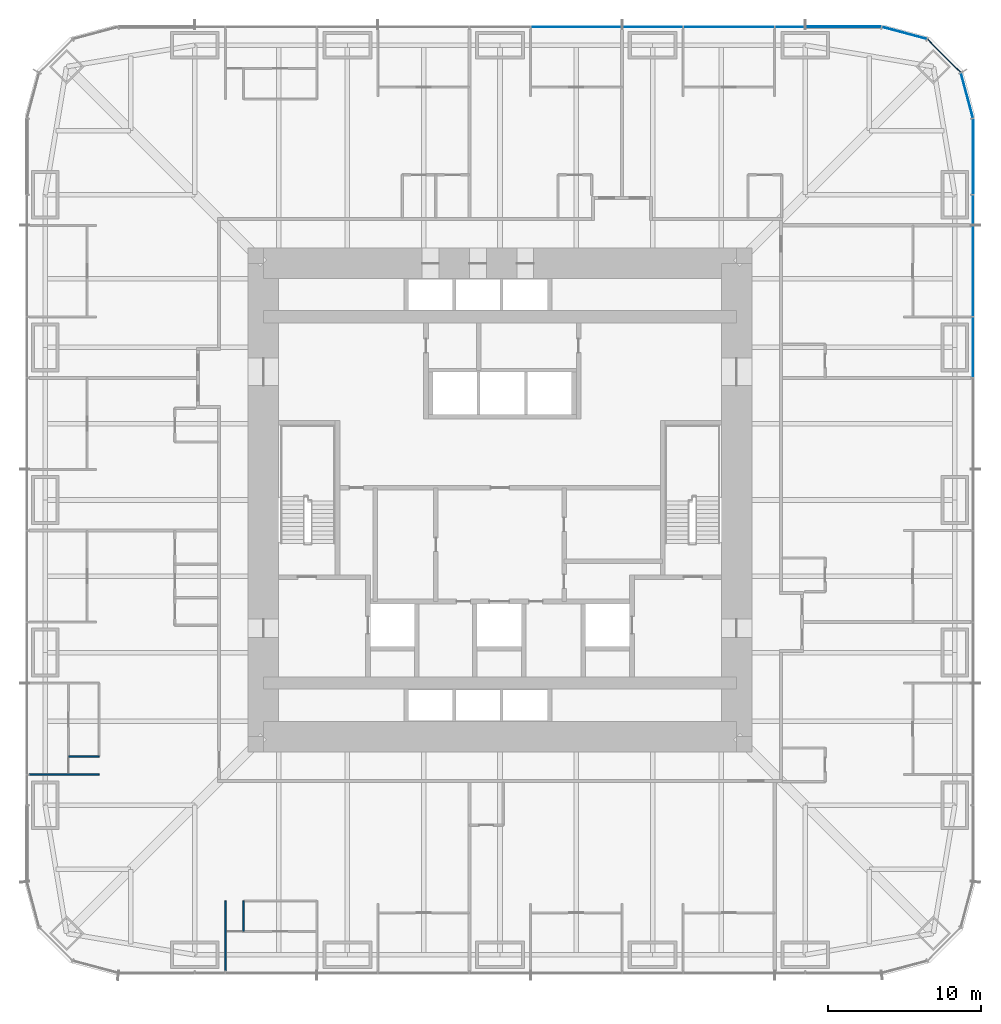
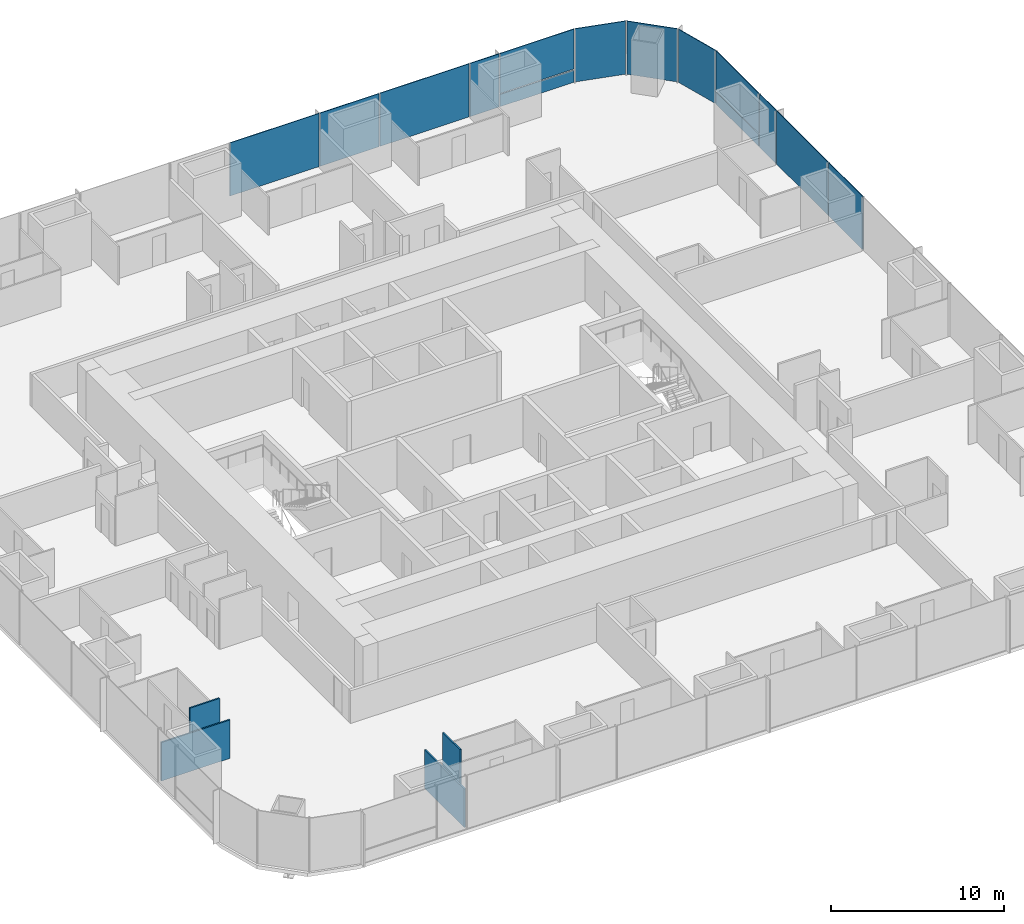
# One storey, part 11 of 17: 14 plates, 4 walls, 3 elements without a shape of their own.
"""IFC4 building model written with IfcOpenShell, lengths in metres."""

from ifc_helpers import new_model, si_unit, direction, frame, frame_2d, origin, origin_2d, place, context, subcontext, project, spatial, rectangle, extrude, material, layer, layer_set, type_object, element, aggregate, save


model = new_model("IFC4")

# Units and contexts
model_context = context("Model", 3, precision=1e-05, world=origin(), true_north=direction((0.0, 1.0)))
body_context = subcontext(model_context, "Body", "Model", "MODEL_VIEW")
ifc_project = project(units=[si_unit("LENGTHUNIT", "METRE"), si_unit("AREAUNIT", "SQUARE_METRE"), si_unit("VOLUMEUNIT", "CUBIC_METRE"), si_unit("PLANEANGLEUNIT", "RADIAN"), si_unit("MASSUNIT", "GRAM", prefix="KILO")], contexts=[model_context])

# Site, building, storey
site_placement = place(None, origin())
site = spatial("IfcSite", under=ifc_project, at=site_placement, CompositionType="ELEMENT")
building_placement = place(site_placement, origin())
building = spatial("IfcBuilding", under=site, at=building_placement, Name="Khuree Lantern Residences", CompositionType="ELEMENT")
storey_placement = place(building_placement, frame((0.0, 0.0, 84.75)))
storey = spatial("IfcBuildingStorey", under=building, at=storey_placement, Name="L21", CompositionType="ELEMENT", Elevation=84.75)

# Curtain wall, plates
ifc_material_1 = material(Name="Bronze anodised aluminium", Category="aluminium")
curtain_wall_type_1 = type_object("IfcCurtainWallType", Name="CW-T2 TOWER CORNER CURTAIN WALL", PredefinedType="USERDEFINED", material=ifc_material_1)
curtain_wall_1_placement = place(storey_placement, origin())
curtain_wall_1 = element("IfcCurtainWall", 1, at=curtain_wall_1_placement, inside=storey, type_object=curtain_wall_type_1, Name="L21 NORTH-EAST CORNER CURTAIN WALL", ObjectType="Faceted corner curtain wall", PredefinedType="USERDEFINED")
ifc_material_2 = material(Name="Bronze tinted triple glazing", Category="glass")
ifc_layer_1 = layer(ifc_material_2, 0.048095703125)
ifc_layer_set_1 = layer_set([ifc_layer_1], Name="FACET PANEL P4")
plate_type_1 = type_object("IfcPlateType", Name="FACET PANEL P4", PredefinedType="CURTAIN_PANEL", material=ifc_layer_set_1)
plate_1_placement = place(storey_placement, frame((30.5986328125, 26.498046875, 0.0), z_axis=(0.0, 0.0, 1.0), x_axis=(-0.258819172081, 0.965925792265, 0.0)))
plate_1 = element("IfcPlate", 2, at=plate_1_placement, type_object=plate_type_1, Name="L21 NORTH-EAST CORNER PANEL 15.1", PredefinedType="CURTAIN_PANEL", context=body_context, shape_type="SweptSolid", body=[
    extrude(rectangle(XDim=3.02978515625, YDim=0.048095703125, at=origin_2d()), origin(), (0.0, 0.0, 1.0), 3.75),
])
plate_2_placement = place(storey_placement, frame((29.09814453125, 29.09814453125, 0.0), z_axis=(0.0, 0.0, 1.0), x_axis=(-0.707106781187, 0.707106781187, 0.0)))
plate_2 = element("IfcPlate", 3, at=plate_2_placement, type_object=plate_type_1, Name="L21 NORTH-EAST CORNER PANEL 16.1", PredefinedType="CURTAIN_PANEL", context=body_context, shape_type="SweptSolid", body=[
    extrude(rectangle(XDim=3.025634765625, YDim=0.048095703125, at=origin_2d()), origin(), (0.0, 0.0, 1.0), 3.75),
])
plate_3_placement = place(storey_placement, frame((26.498046875, 30.5986328125, 0.0), z_axis=(0.0, 0.0, 1.0), x_axis=(-0.965925792265, 0.258819172081, 0.0)))
plate_3 = element("IfcPlate", 4, at=plate_3_placement, type_object=plate_type_1, Name="L21 NORTH-EAST CORNER PANEL 17.1", PredefinedType="CURTAIN_PANEL", context=body_context, shape_type="SweptSolid", body=[
    extrude(rectangle(XDim=3.02978515625, YDim=0.048095703125, at=origin_2d()), origin(), (0.0, 0.0, 1.0), 3.75),
])
aggregate(curtain_wall_1, [plate_1, plate_2, plate_3])

# Curtain wall, plate
curtain_wall_type_2 = type_object("IfcCurtainWallType", Name="CW-T1 TOWER FACE CURTAIN WALL", PredefinedType="USERDEFINED", material=ifc_material_1)
curtain_wall_2_placement = place(storey_placement, origin())
curtain_wall_2 = element("IfcCurtainWall", 5, at=curtain_wall_2_placement, inside=storey, type_object=curtain_wall_type_2, Name="L21 EAST FACE CURTAIN WALL", ObjectType="Stick-built curtain wall", PredefinedType="USERDEFINED")
ifc_material_3 = material(Name="Bronze tinted triple glazing with a ceramic-fritted spandrel band", Category="glass")
ifc_layer_2 = layer(ifc_material_3, 0.048095703125)
ifc_layer_set_2 = layer_set([ifc_layer_2], Name="FIXED LIGHT PANEL P11")
plate_type_2 = type_object("IfcPlateType", Name="FIXED LIGHT PANEL P11", PredefinedType="CURTAIN_PANEL", material=ifc_layer_set_2)
plate_4_placement = place(storey_placement, frame((31.0, 15.0, 0.0), z_axis=(0.0, 0.0, 1.0), x_axis=(0.0, 1.0, 0.0)))
plate_4 = element("IfcPlate", 6, at=plate_4_placement, type_object=plate_type_2, Name="L21 EAST FACE PANEL 12.1", PredefinedType="CURTAIN_PANEL", context=body_context, shape_type="SweptSolid", body=[
    extrude(rectangle(XDim=5.93505859375, YDim=0.048095703125, at=origin_2d()), origin(), (0.0, 0.0, 1.0), 3.75),
])

# Curtain wall, plates
curtain_wall_3_placement = place(storey_placement, origin())
curtain_wall_3 = element("IfcCurtainWall", 7, at=curtain_wall_3_placement, inside=storey, type_object=curtain_wall_type_2, Name="L21 NORTH FACE CURTAIN WALL", ObjectType="Stick-built curtain wall", PredefinedType="USERDEFINED")
plate_5_placement = place(storey_placement, frame((15.0, 31.0, 0.0), z_axis=(0.0, 0.0, 1.0), x_axis=(-1.0, 0.0, 0.0)))
plate_5 = element("IfcPlate", 8, at=plate_5_placement, type_object=plate_type_2, Name="L21 NORTH FACE PANEL 20.1", PredefinedType="CURTAIN_PANEL", context=body_context, shape_type="SweptSolid", body=[
    extrude(rectangle(XDim=5.93505859375, YDim=0.048095703125, at=origin_2d()), origin(), (0.0, 0.0, 1.0), 3.75),
])
plate_6_placement = place(storey_placement, frame((5.0, 31.0, 0.0), z_axis=(0.0, 0.0, 1.0), x_axis=(-1.0, 0.0, 0.0)))
plate_6 = element("IfcPlate", 9, at=plate_6_placement, type_object=plate_type_2, Name="L21 NORTH FACE PANEL 22.1", PredefinedType="CURTAIN_PANEL", context=body_context, shape_type="SweptSolid", body=[
    extrude(rectangle(XDim=5.93505859375, YDim=0.048095703125, at=origin_2d()), origin(), (0.0, 0.0, 1.0), 3.75),
])

# Plate
ifc_material_4 = material(Name="Bronze tinted triple glazing, two aluminium-framed sashes in one frame", Category="aluminium")
ifc_layer_3 = layer(ifc_material_4, 0.048095703125)
ifc_layer_set_3 = layer_set([ifc_layer_3], Name="SASH PAIR PANEL P12")
plate_type_3 = type_object("IfcPlateType", Name="SASH PAIR PANEL P12", PredefinedType="CURTAIN_PANEL", material=ifc_layer_set_3)
plate_7_placement = place(storey_placement, frame((31.0, 10.0, 0.0), z_axis=(0.0, 0.0, 1.0), x_axis=(0.0, 1.0, 0.0)))
plate_7 = element("IfcPlate", 10, at=plate_7_placement, type_object=plate_type_3, Name="L21 EAST FACE PANEL 11.1", PredefinedType="CURTAIN_PANEL", context=body_context, shape_type="SweptSolid", body=[
    extrude(rectangle(XDim=3.93505859375, YDim=0.048095703125, at=origin_2d()), origin(), (0.0, 0.0, 1.0), 3.75),
])

plate_8_placement = place(storey_placement, frame((10.0, 31.0, 0.0), z_axis=(0.0, 0.0, 1.0), x_axis=(-1.0, 0.0, 0.0)))
plate_8 = element("IfcPlate", 11, at=plate_8_placement, type_object=plate_type_3, Name="L21 NORTH FACE PANEL 21.1", PredefinedType="CURTAIN_PANEL", context=body_context, shape_type="SweptSolid", body=[
    extrude(rectangle(XDim=3.93505859375, YDim=0.048095703125, at=origin_2d()), origin(), (0.0, 0.0, 1.0), 3.75),
])

ifc_material_5 = material(Name="Bronze tinted triple glazing, aluminium-framed sash", Category="aluminium")
ifc_layer_4 = layer(ifc_material_5, 0.048095703125)
ifc_layer_set_4 = layer_set([ifc_layer_4], Name="SASH PANEL P3")
plate_type_4 = type_object("IfcPlateType", Name="SASH PANEL P3", PredefinedType="CURTAIN_PANEL", material=ifc_layer_set_4)
plate_9_placement = place(storey_placement, frame((31.0, 19.0, 0.0), z_axis=(0.0, 0.0, 1.0), x_axis=(0.0, 1.0, 0.0)))
plate_9 = element("IfcPlate", 12, at=plate_9_placement, type_object=plate_type_4, Name="L21 EAST FACE PANEL 13.1", PredefinedType="CURTAIN_PANEL", context=body_context, shape_type="SweptSolid", body=[
    extrude(rectangle(XDim=1.93505859375, YDim=0.048095703125, at=origin_2d()), origin(), (0.0, 0.0, 1.0), 3.75),
])

plate_10_placement = place(storey_placement, frame((19.0, 31.0, 0.0), z_axis=(0.0, 0.0, 1.0), x_axis=(-1.0, 0.0, 0.0)))
plate_10 = element("IfcPlate", 13, at=plate_10_placement, type_object=plate_type_4, Name="L21 NORTH FACE PANEL 19.1", PredefinedType="CURTAIN_PANEL", context=body_context, shape_type="SweptSolid", body=[
    extrude(rectangle(XDim=1.93505859375, YDim=0.048095703125, at=origin_2d()), origin(), (0.0, 0.0, 1.0), 3.75),
])

ifc_material_6 = material(Name="Bronze anodised aluminium insulated spandrel", Category="aluminium")
ifc_layer_5 = layer(ifc_material_6, 0.06005859375)
ifc_layer_set_5 = layer_set([ifc_layer_5], Name="SPANDREL PANEL P2")
plate_type_5 = type_object("IfcPlateType", Name="SPANDREL PANEL P2", PredefinedType="CURTAIN_PANEL", material=ifc_layer_set_5)
plate_11_placement = place(storey_placement, frame((31.0, 22.497802734375, 0.0), z_axis=(0.0, 0.0, 1.0), x_axis=(0.0, 1.0, 0.0)))
plate_11 = element("IfcPlate", 14, at=plate_11_placement, type_object=plate_type_5, Name="L21 EAST FACE PANEL 14.1", PredefinedType="CURTAIN_PANEL", context=body_context, shape_type="SweptSolid", body=[
    extrude(rectangle(XDim=4.9306640625, YDim=0.06005859375, at=origin_2d()), origin(), (0.0, 0.0, 1.0), 0.867431640625),
])

plate_12_placement = place(storey_placement, frame((22.497802734375, 31.0, 0.0), z_axis=(0.0, 0.0, 1.0), x_axis=(-1.0, 0.0, 0.0)))
plate_12 = element("IfcPlate", 15, at=plate_12_placement, type_object=plate_type_5, Name="L21 NORTH FACE PANEL 18.1", PredefinedType="CURTAIN_PANEL", context=body_context, shape_type="SweptSolid", body=[
    extrude(rectangle(XDim=4.9306640625, YDim=0.06005859375, at=origin_2d()), origin(), (0.0, 0.0, 1.0), 0.867431640625),
])

ifc_layer_6 = layer(ifc_material_2, 0.048095703125)
ifc_layer_set_6 = layer_set([ifc_layer_6], Name="VISION PANEL P1")
plate_type_6 = type_object("IfcPlateType", Name="VISION PANEL P1", PredefinedType="CURTAIN_PANEL", material=ifc_layer_set_6)
plate_13_placement = place(storey_placement, frame((31.0, 22.498291015625, 0.9326171875), z_axis=(0.0, 0.0, 1.0), x_axis=(0.0, 1.0, 0.0)))
plate_13 = element("IfcPlate", 16, at=plate_13_placement, type_object=plate_type_6, Name="L21 EAST FACE PANEL 14.2", PredefinedType="CURTAIN_PANEL", context=body_context, shape_type="SweptSolid", body=[
    extrude(rectangle(XDim=4.931640625, YDim=0.048095703125, at=origin_2d()), origin(), (0.0, 0.0, 1.0), 2.8173828125),
])

aggregate(curtain_wall_2, [plate_7, plate_4, plate_9, plate_11, plate_13])

plate_14_placement = place(storey_placement, frame((22.498291015625, 31.0, 0.9326171875), z_axis=(0.0, 0.0, 1.0), x_axis=(-1.0, 0.0, 0.0)))
plate_14 = element("IfcPlate", 17, at=plate_14_placement, type_object=plate_type_6, Name="L21 NORTH FACE PANEL 18.2", PredefinedType="CURTAIN_PANEL", context=body_context, shape_type="SweptSolid", body=[
    extrude(rectangle(XDim=4.931640625, YDim=0.048095703125, at=origin_2d()), origin(), (0.0, 0.0, 1.0), 2.8173828125),
])

aggregate(curtain_wall_3, [plate_12, plate_14, plate_10, plate_5, plate_8, plate_6])

# Walls
ifc_material_7 = material(Name="Gypsum board on steel studs", Category="steel")
ifc_layer_7 = layer(ifc_material_7, 0.10009765625)
ifc_layer_set_7 = layer_set([ifc_layer_7], Name="PARTITION PT100")
wall_type = type_object("IfcWallType", Name="PARTITION PT100", PredefinedType="PARTITIONING", material=ifc_layer_set_7)
for number, where, z_axis, x_axis, name in (
    (18, (-26.2666015625, -18.0, 0.0), (0.0, 0.0, 1.0), (-1.0, 0.0, 0.0), "L21 PARTITION 07"),
    (19, (-18.0, -26.2666015625, 0.0), (0.0, 0.0, 1.0), (0.0, -1.0, 0.0), "L21 PARTITION 07"),
):
    element("IfcWall", number, at=place(storey_placement, frame(where, z_axis=z_axis, x_axis=x_axis)), inside=storey, type_object=wall_type, Name=name, PredefinedType="PARTITIONING", context=body_context, shape_type="SweptSolid", body=[
        extrude(rectangle(XDim=4.58349609375, YDim=0.10009765625, at=frame_2d((2.291748046875, 0.0))), origin(), (0.0, 0.0, 1.0), 2.7099609375),
    ])
for number, where, z_axis, x_axis, name in (
    (20, (-26.2666015625, -16.800048828125, 0.0), (0.0, 0.0, 1.0), (-1.0, 0.0, 0.0), "L21 PARTITION 07"),
    (21, (-16.800048828125, -26.2666015625, 0.0), (0.0, 0.0, 1.0), (0.0, -1.0, 0.0), "L21 PARTITION 07"),
):
    element("IfcWall", number, at=place(storey_placement, frame(where, z_axis=z_axis, x_axis=x_axis)), inside=storey, type_object=wall_type, Name=name, PredefinedType="PARTITIONING", context=body_context, shape_type="SweptSolid", body=[
        extrude(rectangle(XDim=2.0, YDim=0.10009765625, at=frame_2d((1.0, 0.0))), origin(), (0.0, 0.0, 1.0), 3.5),
    ])

save(model, "model.ifc")
